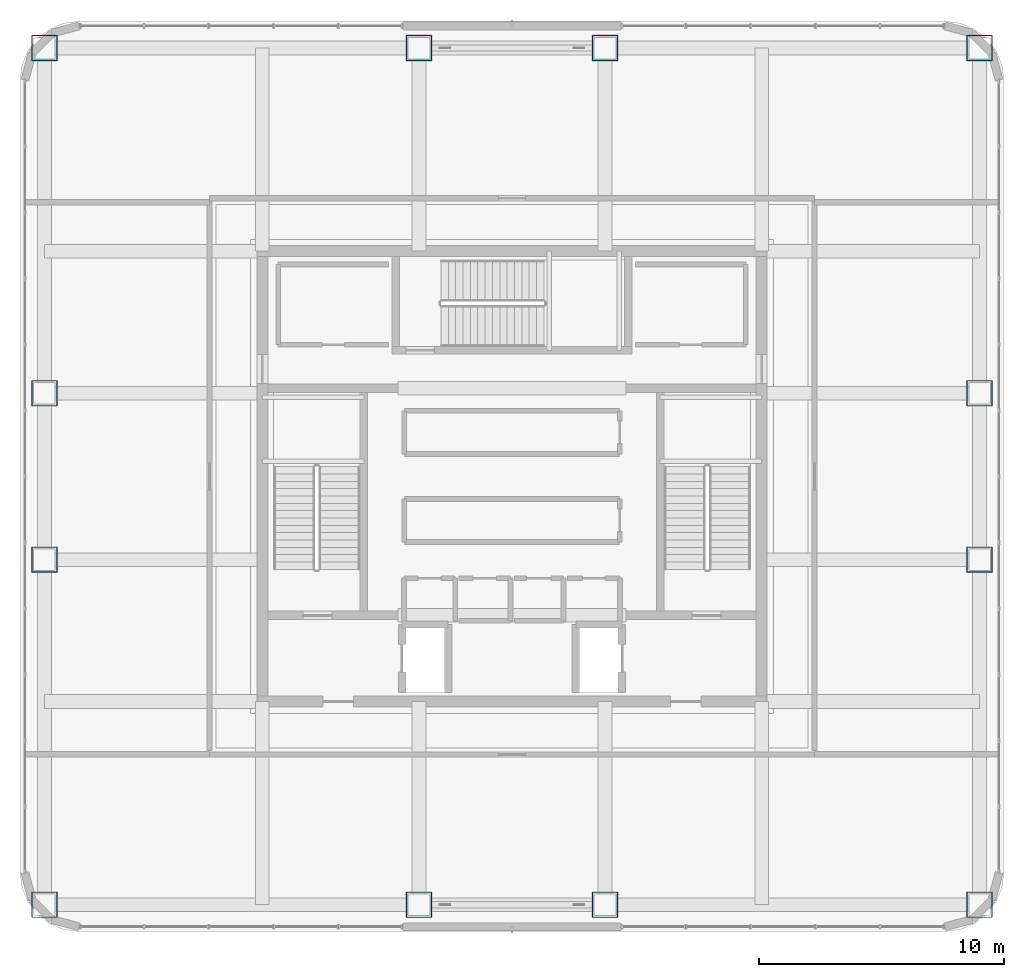
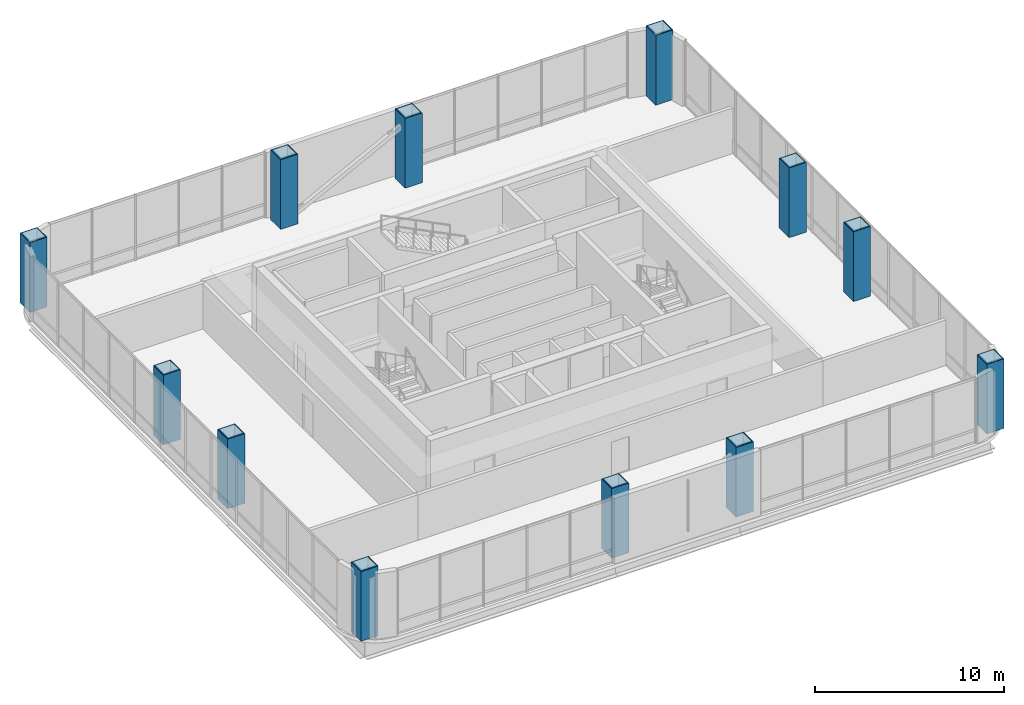
# One storey, part 1 of 33: 12 columns.
"""IFC4 building model written with IfcOpenShell, lengths in metres."""

from ifc_helpers import new_model, si_unit, direction, frame, origin, origin_2d, place, context, subcontext, project, spatial, hollow_rectangle, extrude, material, material_profile, profile_set, type_object, element, save


model = new_model("IFC4")

# Units and contexts
model_context = context("Model", 3, precision=1e-05, world=origin(), true_north=direction((0.0, 1.0)))
body_context = subcontext(model_context, "Body", "Model", "MODEL_VIEW")
ifc_project = project(units=[si_unit("LENGTHUNIT", "METRE"), si_unit("AREAUNIT", "SQUARE_METRE"), si_unit("VOLUMEUNIT", "CUBIC_METRE"), si_unit("PLANEANGLEUNIT", "RADIAN"), si_unit("MASSUNIT", "GRAM", prefix="KILO")], contexts=[model_context])

# Site, building, storey
site_placement = place(None, origin())
site = spatial("IfcSite", under=ifc_project, at=site_placement, CompositionType="ELEMENT")
building_placement = place(site_placement, origin())
building = spatial("IfcBuilding", under=site, at=building_placement, Name="Punatoya Terracotta Tower", CompositionType="ELEMENT")
storey_placement = place(building_placement, frame((0.0, 0.0, 348.300048828125)))
storey = spatial("IfcBuildingStorey", under=building, at=storey_placement, Name="L82", CompositionType="ELEMENT", Elevation=348.300048828125)

# Columns
ifc_material = material(Name="Steel S460", Category="steel")
ifc_material_profile = material_profile(ifc_material, hollow_rectangle(XDim=1.050048828125, YDim=1.050048828125, WallThickness=0.030029296875, at=origin_2d()))
ifc_profile_set = profile_set([ifc_material_profile], Name="Steel S460")
column_type = type_object("IfcColumnType", Name="COL-MC-CR", PredefinedType="COLUMN", material=ifc_profile_set)
for number, where, z_axis, x_axis, name in (
    (1, (-19.10009765625, -17.5, 0.0), (0.0, 0.0, 1.0), (1.0, 0.0, 0.0), "L82 Composite Mega-Column MC-01 (3-B)"),
    (2, (-3.800048828125, -17.5, 0.0), (0.0, 0.0, 1.0), (1.0, 0.0, 0.0), "L82 Composite Mega-Column MC-02 (5-B)"),
    (3, (3.800048828125, -17.5, 0.0), (0.0, 0.0, 1.0), (1.0, 0.0, 0.0), "L82 Composite Mega-Column MC-03 (7-B)"),
    (4, (19.10009765625, -17.5, 0.0), (0.0, 0.0, 1.0), (1.0, 0.0, 0.0), "L82 Composite Mega-Column MC-04 (9-B)"),
    (5, (19.10009765625, -3.39990234375, 0.0), (0.0, 0.0, 1.0), (1.0, 0.0, 0.0), "L82 Composite Mega-Column MC-05 (9-D)"),
    (6, (19.10009765625, 3.39990234375, 0.0), (0.0, 0.0, 1.0), (1.0, 0.0, 0.0), "L82 Composite Mega-Column MC-06 (9-E)"),
    (7, (19.10009765625, 17.5, 0.0), (0.0, 0.0, 1.0), (1.0, 0.0, 0.0), "L82 Composite Mega-Column MC-07 (9-G)"),
    (8, (3.800048828125, 17.5, 0.0), (0.0, 0.0, 1.0), (1.0, 0.0, 0.0), "L82 Composite Mega-Column MC-08 (7-G)"),
    (9, (-3.800048828125, 17.5, 0.0), (0.0, 0.0, 1.0), (1.0, 0.0, 0.0), "L82 Composite Mega-Column MC-09 (5-G)"),
    (10, (-19.10009765625, 17.5, 0.0), (0.0, 0.0, 1.0), (1.0, 0.0, 0.0), "L82 Composite Mega-Column MC-10 (3-G)"),
    (11, (-19.10009765625, 3.39990234375, 0.0), (0.0, 0.0, 1.0), (1.0, 0.0, 0.0), "L82 Composite Mega-Column MC-11 (3-E)"),
    (12, (-19.10009765625, -3.39990234375, 0.0), (0.0, 0.0, 1.0), (1.0, 0.0, 0.0), "L82 Composite Mega-Column MC-12 (3-D)"),
):
    element("IfcColumn", number, at=place(storey_placement, frame(where, z_axis=z_axis, x_axis=x_axis)), inside=storey, type_object=column_type, Name=name, PredefinedType="COLUMN", context=body_context, shape_type="SweptSolid", body=[
        extrude(hollow_rectangle(XDim=1.050048828125, YDim=1.050048828125, WallThickness=0.030029296875, at=origin_2d()), origin(), (0.0, 0.0, 1.0), 4.5),
    ])

save(model, "model.ifc")
